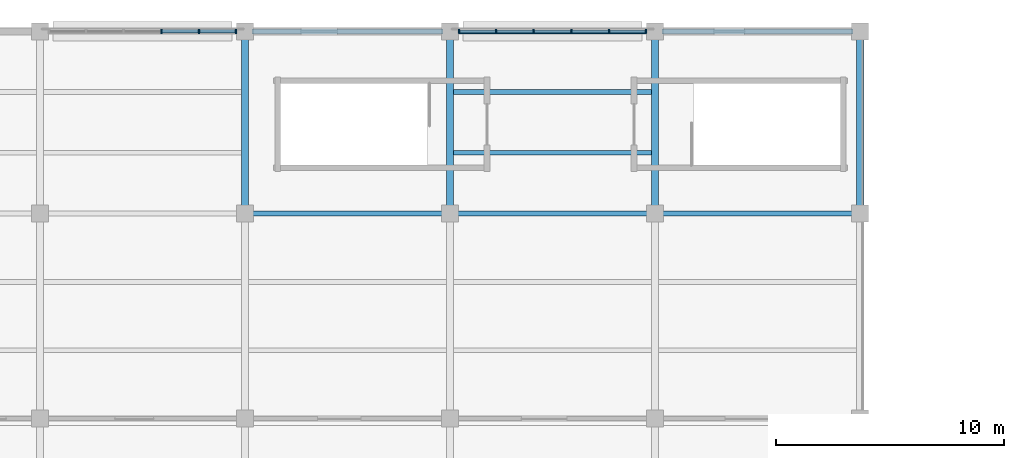
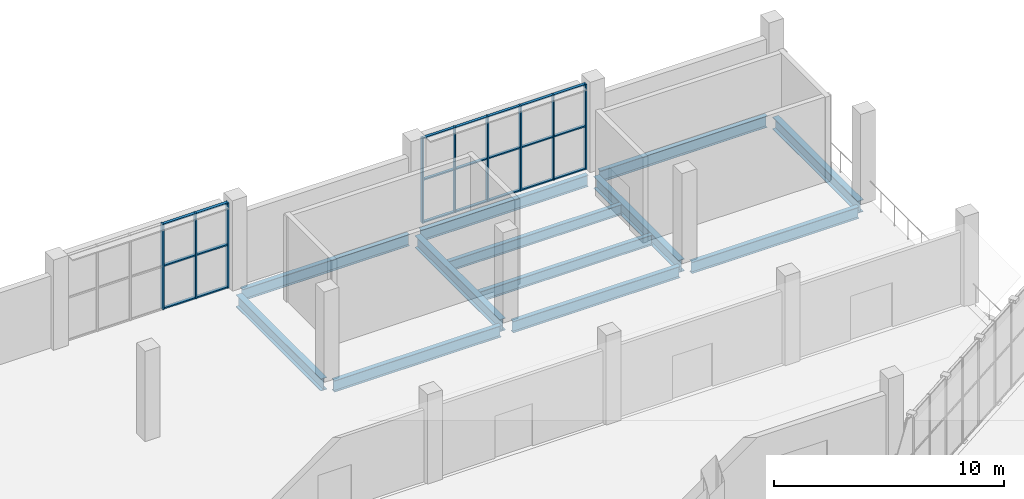
# One storey, part 54 of 152: 30 members, 12 beams, 2 elements without a shape of their own.
"""IFC4 building model written with IfcOpenShell, lengths in metres."""

import ifcopenshell
import ifcopenshell.guid

model = None  # the IFC model being written
_history = None  # IfcOwnerHistory: only IFC2X3 demands one
_inside = {}  # id of a spatial element -> (the spatial element, [elements in it])
_under = {}  # id of a project, library or spatial element -> (it, [spatial elements below it])
_declared = {}  # id of a project -> (the project, [libraries it declares])
_typed = {}  # id of a type object -> (the type object, [elements of that type])
_made_of = {}  # id of a material, layer set ... -> (it, [elements and type objects made of it])


def new_model(schema):
    """Start an empty IFC model of exactly this schema.

    Asked for "IFC4X3", IfcOpenShell would pick the latest addendum, in which some entities
    have other attributes; the version numbers below select the first issue.
    IFC2X3 requires an IfcOwnerHistory on every rooted entity: one is made here for all.
    """
    global model, _history
    if schema == "IFC4X3":
        model = ifcopenshell.file(schema_version=(4, 3, 0, 0))
    else:
        model = ifcopenshell.file(schema=schema)
    _inside.clear()
    _under.clear()
    _declared.clear()
    _typed.clear()
    _made_of.clear()
    _history = None
    if model.schema == "IFC2X3":
        org = make("IfcOrganization", Name="unknown")
        user = make(
            "IfcPersonAndOrganization",
            ThePerson=make("IfcPerson", FamilyName="unknown"),
            TheOrganization=org,
        )
        app = make(
            "IfcApplication",
            ApplicationDeveloper=org,
            Version="unknown",
            ApplicationFullName="unknown",
            ApplicationIdentifier="unknown",
        )
        _history = make(
            "IfcOwnerHistory",
            OwningUser=user,
            OwningApplication=app,
            ChangeAction="ADDED",
            CreationDate=0,
        )
    return model


def make(cls, **values):
    """One entity of the class cls with the attributes given. An attribute that is None is left unset."""
    return model.create_entity(
        cls, **{name: value for name, value in values.items() if value is not None}
    )


def rooted(cls, **values):
    """An entity with a GlobalId (a new one), such as an element, a storey or a relation."""
    return make(cls, GlobalId=ifcopenshell.guid.new(), OwnerHistory=_history, **values)


def si_unit(unit_type, name, prefix=None):
    """IfcSIUnit, for example si_unit("LENGTHUNIT", "METRE", prefix="MILLI")."""
    return make("IfcSIUnit", UnitType=unit_type, Prefix=prefix, Name=name)


def assignment(units):
    """IfcUnitAssignment: the units of a project."""
    return None if units is None else make("IfcUnitAssignment", Units=units)


def point(xyz):
    """IfcCartesianPoint."""
    return None if xyz is None else make("IfcCartesianPoint", Coordinates=xyz)


def direction(xyz):
    """IfcDirection."""
    return None if xyz is None else make("IfcDirection", DirectionRatios=xyz)


def frame(location, z_axis=None, x_axis=None):
    """IfcAxis2Placement3D, a coordinate frame: its origin and axes. An axis left out is left unset."""
    return make(
        "IfcAxis2Placement3D",
        Location=point(location),
        Axis=direction(z_axis),
        RefDirection=direction(x_axis),
    )


def frame_2d(location, x_axis=None):
    """IfcAxis2Placement2D, a coordinate frame in the plane: its origin and x axis."""
    return make(
        "IfcAxis2Placement2D", Location=point(location), RefDirection=direction(x_axis)
    )


def origin():
    """The frame at (0, 0, 0) with its axes left unset."""
    return frame((0.0, 0.0, 0.0))


def origin_2d():
    """The frame at (0, 0) in the plane with its x axis left unset."""
    return frame_2d((0.0, 0.0))


def place(relative_to, where):
    """IfcLocalPlacement: puts the frame where relative to a parent placement (None: the world)."""
    return make(
        "IfcLocalPlacement", PlacementRelTo=relative_to, RelativePlacement=where
    )


def context(
    kind, dimensions, precision=None, world=None, true_north=None, identifier=None
):
    """IfcGeometricRepresentationContext, for example the 3D "Model" context."""
    return make(
        "IfcGeometricRepresentationContext",
        ContextIdentifier=identifier,
        ContextType=kind,
        CoordinateSpaceDimension=dimensions,
        Precision=precision,
        WorldCoordinateSystem=world,
        TrueNorth=true_north,
    )


def subcontext(parent, identifier, kind, view, scale=None):
    """IfcGeometricRepresentationSubContext, for example "Body" below "Model"."""
    return make(
        "IfcGeometricRepresentationSubContext",
        ContextIdentifier=identifier,
        ContextType=kind,
        ParentContext=parent,
        TargetScale=scale,
        TargetView=view,
    )


def project(units=None, contexts=None):
    """IfcProject with its units and contexts."""
    return rooted(
        "IfcProject",
        Name="project",
        RepresentationContexts=contexts,
        UnitsInContext=assignment(units),
    )


def spatial(cls, under=None, at=None, **own):
    """A site, building, storey or space (cls), placed at a placement, below another one or the project."""
    s = rooted(cls, ObjectPlacement=at, **own)
    if under is not None:
        _under.setdefault(under.id(), (under, []))[1].append(s)
    return s


def profile(cls, at=None, kind="AREA", **sizes):
    """A parametric profile (cls). Its sizes go by their IFC names, for example OverallWidth=200.0."""
    return make(cls, ProfileType=kind, Position=at, **sizes)


def rectangle(**sizes):
    """IfcRectangleProfileDef."""
    return profile("IfcRectangleProfileDef", **sizes)


def i_section(**sizes):
    """IfcIShapeProfileDef."""
    return profile("IfcIShapeProfileDef", **sizes)


def extrude(swept, where, along, depth):
    """IfcExtrudedAreaSolid: the profile swept, set in the frame where, extruded along a direction by depth."""
    return make(
        "IfcExtrudedAreaSolid",
        SweptArea=swept,
        Position=where,
        ExtrudedDirection=direction(along),
        Depth=depth,
    )


def shape(context_of_items, identifier, shape_type, items):
    """IfcShapeRepresentation: the items that make up one representation, for example the "Body"."""
    return make(
        "IfcShapeRepresentation",
        ContextOfItems=context_of_items,
        RepresentationIdentifier=identifier,
        RepresentationType=shape_type,
        Items=items,
    )


def material(Name=None, Category=None):
    """IfcMaterial."""
    return make("IfcMaterial", Name=Name, Category=Category)


def material_profile(
    of_material, cross_section, Name=None, Category=None, Priority=None
):
    """IfcMaterialProfile: a cross section and its material."""
    return make(
        "IfcMaterialProfile",
        Name=Name,
        Material=of_material,
        Profile=cross_section,
        Priority=Priority,
        Category=Category,
    )


def profile_set(profiles, Name=None, composite=None):
    """IfcMaterialProfileSet."""
    return make(
        "IfcMaterialProfileSet",
        Name=Name,
        MaterialProfiles=profiles,
        CompositeProfile=composite,
    )


def made_of(thing, what):
    """Note that an element or type object is made of a material, layer set ...; save() writes the relation."""
    if what is not None:
        _made_of.setdefault(what.id(), (what, []))[1].append(thing)
    return thing


def type_object(cls, material=None, **own):
    """A type object (cls), such as IfcWallType, which elements share."""
    return made_of(rooted(cls, **own), material)


def element(
    cls,
    number,
    at=None,
    inside=None,
    cuts=None,
    type_object=None,
    material=None,
    context=None,
    identifier="Body",
    shape_type=None,
    held_by="IfcProductDefinitionShape",
    body=None,
    shapes=None,
    **own,
):
    """One element of the class cls, such as IfcWall. Its Tag is "e" and its number.

    at: its placement. inside: the storey or other place that contains it. cuts: it is an
    opening in that element (IfcRelVoidsElement). A single representation is given by context,
    identifier, shape_type and body (its items); several are given by shapes. held_by: the class
    of the entity that holds the representations. save() writes the other relations.
    """
    e = rooted(cls, Tag="e%d" % number, ObjectPlacement=at, **own)
    if body is not None:
        shapes = [shape(context, identifier, shape_type, body)]
    if shapes is not None:
        e.Representation = make(held_by, Representations=shapes)
    if inside is not None:
        _inside.setdefault(inside.id(), (inside, []))[1].append(e)
    if cuts is not None:
        rooted(
            "IfcRelVoidsElement", RelatingBuildingElement=cuts, RelatedOpeningElement=e
        )
    if type_object is not None:
        _typed.setdefault(type_object.id(), (type_object, []))[1].append(e)
    return made_of(e, material)


def aggregate(whole, parts):
    """IfcRelAggregates: a whole, such as a stair, and the parts it consists of."""
    return rooted("IfcRelAggregates", RelatingObject=whole, RelatedObjects=parts)


def save(model, path):
    """Write the relations noted so far, then the file.

    IfcRelAggregates (storeys below a building ...), IfcRelContainedInSpatialStructure (elements
    in a storey), IfcRelDefinesByType, IfcRelAssociatesMaterial and IfcRelDeclares: one each for
    every whole, place, type object, material and project.
    """
    for whole, parts in _under.values():
        aggregate(whole, parts)
    for where, things in _inside.values():
        rooted(
            "IfcRelContainedInSpatialStructure",
            RelatedElements=things,
            RelatingStructure=where,
        )
    for kind, things in _typed.values():
        rooted("IfcRelDefinesByType", RelatedObjects=things, RelatingType=kind)
    for what, things in _made_of.values():
        rooted("IfcRelAssociatesMaterial", RelatedObjects=things, RelatingMaterial=what)
    for by, libraries in _declared.values():
        rooted("IfcRelDeclares", RelatingContext=by, RelatedDefinitions=libraries)
    model.write(path)


model = new_model("IFC4")

# Units and contexts
model_context = context("Model", 3, precision=1e-05, world=origin(), true_north=direction((0.0, 1.0)))
body_context = subcontext(model_context, "Body", "Model", "MODEL_VIEW")
ifc_project = project(units=[si_unit("LENGTHUNIT", "METRE"), si_unit("AREAUNIT", "SQUARE_METRE"), si_unit("VOLUMEUNIT", "CUBIC_METRE"), si_unit("PLANEANGLEUNIT", "RADIAN"), si_unit("MASSUNIT", "GRAM", prefix="KILO")], contexts=[model_context])

# Site, building, storey
site_placement = place(None, origin())
site = spatial("IfcSite", under=ifc_project, at=site_placement, CompositionType="ELEMENT")
building_placement = place(site_placement, origin())
building = spatial("IfcBuilding", under=site, at=building_placement, Name="Zevraka Park Crest Stadium", CompositionType="ELEMENT")
storey_placement = place(building_placement, frame((0.0, 0.0, 15.0)))
storey = spatial("IfcBuildingStorey", under=building, at=storey_placement, Name="L03", CompositionType="ELEMENT", Elevation=15.0)

# Beams
ifc_material_1 = material(Name="Steel S355", Category="steel")
ifc_material_profile_1 = material_profile(ifc_material_1, i_section(OverallWidth=0.300048828125, OverallDepth=0.64990234375, WebThickness=0.01611328125, FlangeThickness=0.031005859375, at=origin_2d()), Name="HEB 650")
ifc_profile_set_1 = profile_set([ifc_material_profile_1], Name="Steel S355")
beam_type_1 = type_object("IfcBeamType", Name="BG07", PredefinedType="BEAM", material=ifc_profile_set_1)
for number, where, z_axis, x_axis, name in (
    (1, (36.0, 176.300048828125, -0.633056640625), (0.0, 1.0, 0.0), (-1.0, 0.0, 0.0), "Wing Girder BG07 L03-5/VW"),
    (2, (45.0, 176.300048828125, -0.633056640625), (0.0, 1.0, 0.0), (-1.0, 0.0, 0.0), "Wing Girder BG07 L03-6/VW"),
    (3, (54.0, 176.300048828125, -0.633056640625), (0.0, 1.0, 0.0), (-1.0, 0.0, 0.0), "Wing Girder BG07 L03-7/VW"),
    (4, (63.0, 176.300048828125, -0.633056640625), (0.0, 1.0, 0.0), (-1.0, 0.0, 0.0), "Wing Girder BG07 L03-8/VW"),
):
    element("IfcBeam", number, at=place(storey_placement, frame(where, z_axis=z_axis, x_axis=x_axis)), inside=storey, type_object=beam_type_1, Name=name, PredefinedType="BEAM", context=body_context, shape_type="SweptSolid", body=[
        extrude(i_section(OverallWidth=0.300048828125, OverallDepth=0.64990234375, WebThickness=0.01611328125, FlangeThickness=0.031005859375, at=origin_2d()), origin(), (0.0, 0.0, 1.0), 7.39990234375),
    ])
ifc_material_2 = material(Name="Steel S355", Category="steel")
ifc_material_profile_2 = material_profile(ifc_material_2, i_section(OverallWidth=0.22900390625, OverallDepth=0.612060546875, WebThickness=0.011962890625, FlangeThickness=0.01953125, at=origin_2d()), Name="UKB 610x229x125")
ifc_profile_set_2 = profile_set([ifc_material_profile_2], Name="Steel S355")
beam_type_2 = type_object("IfcBeamType", Name="BG09", PredefinedType="BEAM", material=ifc_profile_set_2)
for number, where, z_axis, x_axis, name in (
    (5, (36.300048828125, 176.0, -0.614013671875), (1.0, 0.0, 0.0), (0.0, 1.0, 0.0), "Wing Girder BG09 L03-56/V"),
    (6, (36.300048828125, 184.0, -0.614013671875), (1.0, 0.0, 0.0), (0.0, 1.0, 0.0), "Wing Girder BG09 L03-56/W"),
    (7, (45.300048828125, 176.0, -0.614013671875), (1.0, 0.0, 0.0), (0.0, 1.0, 0.0), "Wing Girder BG09 L03-67/V"),
    (8, (45.300048828125, 184.0, -0.614013671875), (1.0, 0.0, 0.0), (0.0, 1.0, 0.0), "Wing Girder BG09 L03-67/W"),
    (9, (54.300048828125, 176.0, -0.614013671875), (1.0, 0.0, 0.0), (0.0, 1.0, 0.0), "Wing Girder BG09 L03-78/V"),
    (10, (54.300048828125, 184.0, -0.614013671875), (1.0, 0.0, 0.0), (0.0, 1.0, 0.0), "Wing Girder BG09 L03-78/W"),
):
    element("IfcBeam", number, at=place(storey_placement, frame(where, z_axis=z_axis, x_axis=x_axis)), inside=storey, type_object=beam_type_2, Name=name, PredefinedType="BEAM", context=body_context, shape_type="SweptSolid", body=[
        extrude(i_section(OverallWidth=0.22900390625, OverallDepth=0.612060546875, WebThickness=0.011962890625, FlangeThickness=0.01953125, at=origin_2d()), origin(), (0.0, 0.0, 1.0), 8.39990234375),
    ])

# Curtain wall, members
ifc_material_3 = material(Name="Anodised architectural aluminium and laminated safety glass", Category="aluminium")
curtain_wall_type_1 = type_object("IfcCurtainWallType", Name="CW29", PredefinedType="NOTDEFINED", material=ifc_material_3)
curtain_wall_1_placement = place(storey_placement, origin())
curtain_wall_1 = element("IfcCurtainWall", 11, at=curtain_wall_1_placement, inside=storey, type_object=curtain_wall_type_1, Name="Wing Curtain Wall CW29 L03-NW-N2-6", PredefinedType="NOTDEFINED")
ifc_material_4 = material(Name="Anodised architectural aluminium", Category="aluminium")
ifc_material_profile_3 = material_profile(ifc_material_4, rectangle(XDim=0.179931640625, YDim=0.06494140625, at=origin_2d()), Name="ALU MULLION 180x65")
ifc_profile_set_3 = profile_set([ifc_material_profile_3], Name="Anodised architectural aluminium")
member_type_1 = type_object("IfcMemberType", Name="CM02", PredefinedType="MULLION", material=ifc_profile_set_3)
member_1_placement = place(storey_placement, frame((45.3974609375, 184.0, 0.0), z_axis=(0.0, 0.0, 1.0), x_axis=(0.0, 1.0, 0.0)))
member_1 = element("IfcMember", 12, at=member_1_placement, type_object=member_type_1, Name="CW29 mullion 1", PredefinedType="MULLION", context=body_context, shape_type="SweptSolid", body=[
    extrude(rectangle(XDim=0.179931640625, YDim=0.06494140625, at=origin_2d()), origin(), (0.0, 0.0, 1.0), 4.5400390625),
])
member_2_placement = place(storey_placement, frame((47.01904296875, 184.0, 0.0), z_axis=(0.0, 0.0, 1.0), x_axis=(0.0, 1.0, 0.0)))
member_2 = element("IfcMember", 13, at=member_2_placement, type_object=member_type_1, Name="CW29 mullion 2", PredefinedType="MULLION", context=body_context, shape_type="SweptSolid", body=[
    extrude(rectangle(XDim=0.179931640625, YDim=0.06494140625, at=origin_2d()), origin(), (0.0, 0.0, 1.0), 4.5400390625),
])
member_3_placement = place(storey_placement, frame((48.673095703125, 184.0, 0.0), z_axis=(0.0, 0.0, 1.0), x_axis=(0.0, 1.0, 0.0)))
member_3 = element("IfcMember", 14, at=member_3_placement, type_object=member_type_1, Name="CW29 mullion 3", PredefinedType="MULLION", context=body_context, shape_type="SweptSolid", body=[
    extrude(rectangle(XDim=0.179931640625, YDim=0.06494140625, at=origin_2d()), origin(), (0.0, 0.0, 1.0), 4.5400390625),
])
member_4_placement = place(storey_placement, frame((50.326904296875, 184.0, 0.0), z_axis=(0.0, 0.0, 1.0), x_axis=(0.0, 1.0, 0.0)))
member_4 = element("IfcMember", 15, at=member_4_placement, type_object=member_type_1, Name="CW29 mullion 4", PredefinedType="MULLION", context=body_context, shape_type="SweptSolid", body=[
    extrude(rectangle(XDim=0.179931640625, YDim=0.06494140625, at=origin_2d()), origin(), (0.0, 0.0, 1.0), 4.5400390625),
])
member_5_placement = place(storey_placement, frame((51.98095703125, 184.0, 0.0), z_axis=(0.0, 0.0, 1.0), x_axis=(0.0, 1.0, 0.0)))
member_5 = element("IfcMember", 16, at=member_5_placement, type_object=member_type_1, Name="CW29 mullion 5", PredefinedType="MULLION", context=body_context, shape_type="SweptSolid", body=[
    extrude(rectangle(XDim=0.179931640625, YDim=0.06494140625, at=origin_2d()), origin(), (0.0, 0.0, 1.0), 4.5400390625),
])
member_6_placement = place(storey_placement, frame((53.6025390625, 184.0, 0.0), z_axis=(0.0, 0.0, 1.0), x_axis=(0.0, 1.0, 0.0)))
member_6 = element("IfcMember", 17, at=member_6_placement, type_object=member_type_1, Name="CW29 mullion 6", PredefinedType="MULLION", context=body_context, shape_type="SweptSolid", body=[
    extrude(rectangle(XDim=0.179931640625, YDim=0.06494140625, at=origin_2d()), origin(), (0.0, 0.0, 1.0), 4.5400390625),
])

ifc_material_5 = material(Name="Anodised architectural aluminium and laminated safety glass", Category="aluminium")
curtain_wall_type_2 = type_object("IfcCurtainWallType", Name="CW27", PredefinedType="NOTDEFINED", material=ifc_material_5)
curtain_wall_2_placement = place(storey_placement, origin())
curtain_wall_2 = element("IfcCurtainWall", 18, at=curtain_wall_2_placement, inside=storey, type_object=curtain_wall_type_2, Name="Wing Curtain Wall CW27 L03-NW-N2-4", PredefinedType="NOTDEFINED")
ifc_material_6 = material(Name="Anodised architectural aluminium", Category="aluminium")
ifc_material_profile_4 = material_profile(ifc_material_6, rectangle(XDim=0.199951171875, YDim=0.070068359375, at=origin_2d()), Name="ALU MULLION 200x70")
ifc_profile_set_4 = profile_set([ifc_material_profile_4], Name="Anodised architectural aluminium")
member_type_2 = type_object("IfcMemberType", Name="CM03", PredefinedType="MULLION", material=ifc_profile_set_4)
member_7_placement = place(storey_placement, frame((32.326904296875, 184.0, 0.0), z_axis=(0.0, 0.0, 1.0), x_axis=(0.0, 1.0, 0.0)))
member_7 = element("IfcMember", 19, at=member_7_placement, type_object=member_type_2, Name="CW27 mullion 4", PredefinedType="MULLION", context=body_context, shape_type="SweptSolid", body=[
    extrude(rectangle(XDim=0.199951171875, YDim=0.070068359375, at=origin_2d()), origin(), (0.0, 0.0, 1.0), 4.5400390625),
])
member_8_placement = place(storey_placement, frame((33.98095703125, 184.0, 0.0), z_axis=(0.0, 0.0, 1.0), x_axis=(0.0, 1.0, 0.0)))
member_8 = element("IfcMember", 20, at=member_8_placement, type_object=member_type_2, Name="CW27 mullion 5", PredefinedType="MULLION", context=body_context, shape_type="SweptSolid", body=[
    extrude(rectangle(XDim=0.199951171875, YDim=0.070068359375, at=origin_2d()), origin(), (0.0, 0.0, 1.0), 4.5400390625),
])
member_9_placement = place(storey_placement, frame((35.60009765625, 184.0, 0.0), z_axis=(0.0, 0.0, 1.0), x_axis=(0.0, 1.0, 0.0)))
member_9 = element("IfcMember", 21, at=member_9_placement, type_object=member_type_2, Name="CW27 mullion 6", PredefinedType="MULLION", context=body_context, shape_type="SweptSolid", body=[
    extrude(rectangle(XDim=0.199951171875, YDim=0.070068359375, at=origin_2d()), origin(), (0.0, 0.0, 1.0), 4.5400390625),
])

# Member
ifc_material_7 = material(Name="Anodised architectural aluminium", Category="aluminium")
ifc_material_profile_5 = material_profile(ifc_material_7, rectangle(XDim=0.139892578125, YDim=0.06494140625, at=origin_2d()), Name="ALU TRANSOM 140x65")
ifc_profile_set_5 = profile_set([ifc_material_profile_5], Name="Anodised architectural aluminium")
member_type_3 = type_object("IfcMemberType", Name="CT02", PredefinedType="USERDEFINED", material=ifc_profile_set_5)
member_10_placement = place(storey_placement, frame((45.429931640625, 184.0, 0.032470703125), z_axis=(1.0, 0.0, 0.0), x_axis=(0.0, 1.0, 0.0)))
member_10 = element("IfcMember", 22, at=member_10_placement, type_object=member_type_3, Name="CW29 transom 1.1", ObjectType="TRANSOM", PredefinedType="USERDEFINED", context=body_context, shape_type="SweptSolid", body=[
    extrude(rectangle(XDim=0.139892578125, YDim=0.06494140625, at=origin_2d()), origin(), (0.0, 0.0, 1.0), 1.556640625),
])

member_11_placement = place(storey_placement, frame((45.429931640625, 184.0, 2.300048828125), z_axis=(1.0, 0.0, 0.0), x_axis=(0.0, 1.0, 0.0)))
member_11 = element("IfcMember", 23, at=member_11_placement, type_object=member_type_3, Name="CW29 transom 1.2", ObjectType="TRANSOM", PredefinedType="USERDEFINED", context=body_context, shape_type="SweptSolid", body=[
    extrude(rectangle(XDim=0.139892578125, YDim=0.06494140625, at=origin_2d()), origin(), (0.0, 0.0, 1.0), 1.556640625),
])

member_12_placement = place(storey_placement, frame((45.429931640625, 184.0, 4.507568359375), z_axis=(1.0, 0.0, 0.0), x_axis=(0.0, 1.0, 0.0)))
member_12 = element("IfcMember", 24, at=member_12_placement, type_object=member_type_3, Name="CW29 transom 1.3", ObjectType="TRANSOM", PredefinedType="USERDEFINED", context=body_context, shape_type="SweptSolid", body=[
    extrude(rectangle(XDim=0.139892578125, YDim=0.06494140625, at=origin_2d()), origin(), (0.0, 0.0, 1.0), 1.556640625),
])

member_13_placement = place(storey_placement, frame((47.051513671875, 184.0, 0.032470703125), z_axis=(1.0, 0.0, 0.0), x_axis=(0.0, 1.0, 0.0)))
member_13 = element("IfcMember", 25, at=member_13_placement, type_object=member_type_3, Name="CW29 transom 2.1", ObjectType="TRANSOM", PredefinedType="USERDEFINED", context=body_context, shape_type="SweptSolid", body=[
    extrude(rectangle(XDim=0.139892578125, YDim=0.06494140625, at=origin_2d()), origin(), (0.0, 0.0, 1.0), 1.5888671875),
])

member_14_placement = place(storey_placement, frame((47.051513671875, 184.0, 2.300048828125), z_axis=(1.0, 0.0, 0.0), x_axis=(0.0, 1.0, 0.0)))
member_14 = element("IfcMember", 26, at=member_14_placement, type_object=member_type_3, Name="CW29 transom 2.2", ObjectType="TRANSOM", PredefinedType="USERDEFINED", context=body_context, shape_type="SweptSolid", body=[
    extrude(rectangle(XDim=0.139892578125, YDim=0.06494140625, at=origin_2d()), origin(), (0.0, 0.0, 1.0), 1.5888671875),
])

member_15_placement = place(storey_placement, frame((47.051513671875, 184.0, 4.507568359375), z_axis=(1.0, 0.0, 0.0), x_axis=(0.0, 1.0, 0.0)))
member_15 = element("IfcMember", 27, at=member_15_placement, type_object=member_type_3, Name="CW29 transom 2.3", ObjectType="TRANSOM", PredefinedType="USERDEFINED", context=body_context, shape_type="SweptSolid", body=[
    extrude(rectangle(XDim=0.139892578125, YDim=0.06494140625, at=origin_2d()), origin(), (0.0, 0.0, 1.0), 1.5888671875),
])

member_16_placement = place(storey_placement, frame((48.70556640625, 184.0, 0.032470703125), z_axis=(1.0, 0.0, 0.0), x_axis=(0.0, 1.0, 0.0)))
member_16 = element("IfcMember", 28, at=member_16_placement, type_object=member_type_3, Name="CW29 transom 3.1", ObjectType="TRANSOM", PredefinedType="USERDEFINED", context=body_context, shape_type="SweptSolid", body=[
    extrude(rectangle(XDim=0.139892578125, YDim=0.06494140625, at=origin_2d()), origin(), (0.0, 0.0, 1.0), 1.5888671875),
])

member_17_placement = place(storey_placement, frame((48.70556640625, 184.0, 2.300048828125), z_axis=(1.0, 0.0, 0.0), x_axis=(0.0, 1.0, 0.0)))
member_17 = element("IfcMember", 29, at=member_17_placement, type_object=member_type_3, Name="CW29 transom 3.2", ObjectType="TRANSOM", PredefinedType="USERDEFINED", context=body_context, shape_type="SweptSolid", body=[
    extrude(rectangle(XDim=0.139892578125, YDim=0.06494140625, at=origin_2d()), origin(), (0.0, 0.0, 1.0), 1.5888671875),
])

member_18_placement = place(storey_placement, frame((48.70556640625, 184.0, 4.507568359375), z_axis=(1.0, 0.0, 0.0), x_axis=(0.0, 1.0, 0.0)))
member_18 = element("IfcMember", 30, at=member_18_placement, type_object=member_type_3, Name="CW29 transom 3.3", ObjectType="TRANSOM", PredefinedType="USERDEFINED", context=body_context, shape_type="SweptSolid", body=[
    extrude(rectangle(XDim=0.139892578125, YDim=0.06494140625, at=origin_2d()), origin(), (0.0, 0.0, 1.0), 1.5888671875),
])

member_19_placement = place(storey_placement, frame((50.359619140625, 184.0, 0.032470703125), z_axis=(1.0, 0.0, 0.0), x_axis=(0.0, 1.0, 0.0)))
member_19 = element("IfcMember", 31, at=member_19_placement, type_object=member_type_3, Name="CW29 transom 4.1", ObjectType="TRANSOM", PredefinedType="USERDEFINED", context=body_context, shape_type="SweptSolid", body=[
    extrude(rectangle(XDim=0.139892578125, YDim=0.06494140625, at=origin_2d()), origin(), (0.0, 0.0, 1.0), 1.5888671875),
])

member_20_placement = place(storey_placement, frame((50.359619140625, 184.0, 2.300048828125), z_axis=(1.0, 0.0, 0.0), x_axis=(0.0, 1.0, 0.0)))
member_20 = element("IfcMember", 32, at=member_20_placement, type_object=member_type_3, Name="CW29 transom 4.2", ObjectType="TRANSOM", PredefinedType="USERDEFINED", context=body_context, shape_type="SweptSolid", body=[
    extrude(rectangle(XDim=0.139892578125, YDim=0.06494140625, at=origin_2d()), origin(), (0.0, 0.0, 1.0), 1.5888671875),
])

member_21_placement = place(storey_placement, frame((50.359619140625, 184.0, 4.507568359375), z_axis=(1.0, 0.0, 0.0), x_axis=(0.0, 1.0, 0.0)))
member_21 = element("IfcMember", 33, at=member_21_placement, type_object=member_type_3, Name="CW29 transom 4.3", ObjectType="TRANSOM", PredefinedType="USERDEFINED", context=body_context, shape_type="SweptSolid", body=[
    extrude(rectangle(XDim=0.139892578125, YDim=0.06494140625, at=origin_2d()), origin(), (0.0, 0.0, 1.0), 1.5888671875),
])

member_22_placement = place(storey_placement, frame((52.013427734375, 184.0, 0.032470703125), z_axis=(1.0, 0.0, 0.0), x_axis=(0.0, 1.0, 0.0)))
member_22 = element("IfcMember", 34, at=member_22_placement, type_object=member_type_3, Name="CW29 transom 5.1", ObjectType="TRANSOM", PredefinedType="USERDEFINED", context=body_context, shape_type="SweptSolid", body=[
    extrude(rectangle(XDim=0.139892578125, YDim=0.06494140625, at=origin_2d()), origin(), (0.0, 0.0, 1.0), 1.556640625),
])

member_23_placement = place(storey_placement, frame((52.013427734375, 184.0, 2.300048828125), z_axis=(1.0, 0.0, 0.0), x_axis=(0.0, 1.0, 0.0)))
member_23 = element("IfcMember", 35, at=member_23_placement, type_object=member_type_3, Name="CW29 transom 5.2", ObjectType="TRANSOM", PredefinedType="USERDEFINED", context=body_context, shape_type="SweptSolid", body=[
    extrude(rectangle(XDim=0.139892578125, YDim=0.06494140625, at=origin_2d()), origin(), (0.0, 0.0, 1.0), 1.556640625),
])

member_24_placement = place(storey_placement, frame((52.013427734375, 184.0, 4.507568359375), z_axis=(1.0, 0.0, 0.0), x_axis=(0.0, 1.0, 0.0)))
member_24 = element("IfcMember", 36, at=member_24_placement, type_object=member_type_3, Name="CW29 transom 5.3", ObjectType="TRANSOM", PredefinedType="USERDEFINED", context=body_context, shape_type="SweptSolid", body=[
    extrude(rectangle(XDim=0.139892578125, YDim=0.06494140625, at=origin_2d()), origin(), (0.0, 0.0, 1.0), 1.556640625),
])

aggregate(curtain_wall_1, [member_1, member_2, member_3, member_4, member_5, member_6, member_10, member_11, member_12, member_13, member_14, member_15, member_16, member_17, member_18, member_19, member_20, member_21, member_22, member_23, member_24])

ifc_material_8 = material(Name="Anodised architectural aluminium", Category="aluminium")
ifc_material_profile_6 = material_profile(ifc_material_8, rectangle(XDim=0.14990234375, YDim=0.070068359375, at=origin_2d()), Name="ALU TRANSOM 150x70")
ifc_profile_set_6 = profile_set([ifc_material_profile_6], Name="Anodised architectural aluminium")
member_type_4 = type_object("IfcMemberType", Name="CT03", PredefinedType="USERDEFINED", material=ifc_profile_set_6)
member_25_placement = place(storey_placement, frame((32.362060546875, 184.0, 0.034912109375), z_axis=(1.0, 0.0, 0.0), x_axis=(0.0, 1.0, 0.0)))
member_25 = element("IfcMember", 37, at=member_25_placement, type_object=member_type_4, Name="CW27 transom 4.1", ObjectType="TRANSOM", PredefinedType="USERDEFINED", context=body_context, shape_type="SweptSolid", body=[
    extrude(rectangle(XDim=0.14990234375, YDim=0.070068359375, at=origin_2d()), origin(), (0.0, 0.0, 1.0), 1.583984375),
])

member_26_placement = place(storey_placement, frame((32.362060546875, 184.0, 2.300048828125), z_axis=(1.0, 0.0, 0.0), x_axis=(0.0, 1.0, 0.0)))
member_26 = element("IfcMember", 38, at=member_26_placement, type_object=member_type_4, Name="CW27 transom 4.2", ObjectType="TRANSOM", PredefinedType="USERDEFINED", context=body_context, shape_type="SweptSolid", body=[
    extrude(rectangle(XDim=0.14990234375, YDim=0.070068359375, at=origin_2d()), origin(), (0.0, 0.0, 1.0), 1.583984375),
])

member_27_placement = place(storey_placement, frame((32.362060546875, 184.0, 4.5048828125), z_axis=(1.0, 0.0, 0.0), x_axis=(0.0, 1.0, 0.0)))
member_27 = element("IfcMember", 39, at=member_27_placement, type_object=member_type_4, Name="CW27 transom 4.3", ObjectType="TRANSOM", PredefinedType="USERDEFINED", context=body_context, shape_type="SweptSolid", body=[
    extrude(rectangle(XDim=0.14990234375, YDim=0.070068359375, at=origin_2d()), origin(), (0.0, 0.0, 1.0), 1.583984375),
])

member_28_placement = place(storey_placement, frame((34.01611328125, 184.0, 0.034912109375), z_axis=(1.0, 0.0, 0.0), x_axis=(0.0, 1.0, 0.0)))
member_28 = element("IfcMember", 40, at=member_28_placement, type_object=member_type_4, Name="CW27 transom 5.1", ObjectType="TRANSOM", PredefinedType="USERDEFINED", context=body_context, shape_type="SweptSolid", body=[
    extrude(rectangle(XDim=0.14990234375, YDim=0.070068359375, at=origin_2d()), origin(), (0.0, 0.0, 1.0), 1.548828125),
])

member_29_placement = place(storey_placement, frame((34.01611328125, 184.0, 2.300048828125), z_axis=(1.0, 0.0, 0.0), x_axis=(0.0, 1.0, 0.0)))
member_29 = element("IfcMember", 41, at=member_29_placement, type_object=member_type_4, Name="CW27 transom 5.2", ObjectType="TRANSOM", PredefinedType="USERDEFINED", context=body_context, shape_type="SweptSolid", body=[
    extrude(rectangle(XDim=0.14990234375, YDim=0.070068359375, at=origin_2d()), origin(), (0.0, 0.0, 1.0), 1.548828125),
])

member_30_placement = place(storey_placement, frame((34.01611328125, 184.0, 4.5048828125), z_axis=(1.0, 0.0, 0.0), x_axis=(0.0, 1.0, 0.0)))
member_30 = element("IfcMember", 42, at=member_30_placement, type_object=member_type_4, Name="CW27 transom 5.3", ObjectType="TRANSOM", PredefinedType="USERDEFINED", context=body_context, shape_type="SweptSolid", body=[
    extrude(rectangle(XDim=0.14990234375, YDim=0.070068359375, at=origin_2d()), origin(), (0.0, 0.0, 1.0), 1.548828125),
])

aggregate(curtain_wall_2, [member_7, member_8, member_9, member_25, member_26, member_27, member_28, member_29, member_30])

# Beams
ifc_material_9 = material(Name="Steel S355", Category="steel")
ifc_material_profile_7 = material_profile(ifc_material_9, i_section(OverallWidth=0.2099609375, OverallDepth=0.550048828125, WebThickness=0.010986328125, FlangeThickness=0.01708984375, at=origin_2d()), Name="IPE 550")
ifc_profile_set_7 = profile_set([ifc_material_profile_7], Name="Steel S355")
beam_type_3 = type_object("IfcBeamType", Name="SJ04", PredefinedType="JOIST", material=ifc_profile_set_7)
for number, where, z_axis, x_axis, name in (
    (43, (45.14501953125, 178.6669921875, -0.5849609375), (1.0, 0.0, 0.0), (0.0, 1.0, 0.0), "Wing Joist SJ04 L03-6/V-1"),
    (44, (45.14501953125, 181.3330078125, -0.5849609375), (1.0, 0.0, 0.0), (0.0, 1.0, 0.0), "Wing Joist SJ04 L03-6/V-2"),
):
    element("IfcBeam", number, at=place(storey_placement, frame(where, z_axis=z_axis, x_axis=x_axis)), inside=storey, type_object=beam_type_3, Name=name, PredefinedType="JOIST", context=body_context, shape_type="SweptSolid", body=[
        extrude(i_section(OverallWidth=0.2099609375, OverallDepth=0.550048828125, WebThickness=0.010986328125, FlangeThickness=0.01708984375, at=origin_2d()), origin(), (0.0, 0.0, 1.0), 8.7099609375),
    ])

save(model, "model.ifc")
